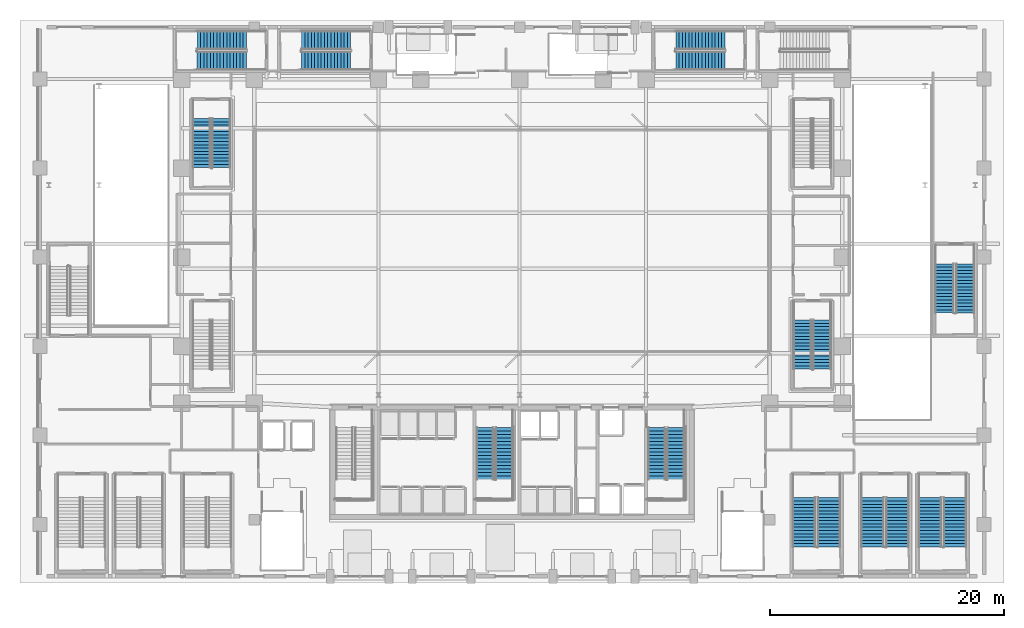
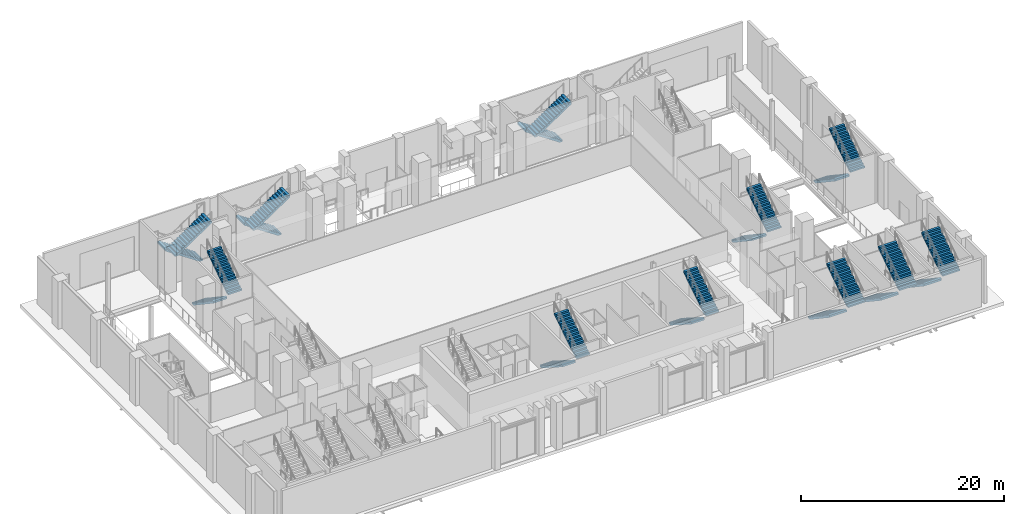
# One storey, part 24 of 36: 22 stair flights, 11 elements without a shape of their own.
"""IFC4 building model written with IfcOpenShell, lengths in metres."""

import ifcopenshell
import ifcopenshell.guid

model = None  # the IFC model being written
_history = None  # IfcOwnerHistory: only IFC2X3 demands one
_inside = {}  # id of a spatial element -> (the spatial element, [elements in it])
_under = {}  # id of a project, library or spatial element -> (it, [spatial elements below it])
_declared = {}  # id of a project -> (the project, [libraries it declares])
_typed = {}  # id of a type object -> (the type object, [elements of that type])
_made_of = {}  # id of a material, layer set ... -> (it, [elements and type objects made of it])


def new_model(schema):
    """Start an empty IFC model of exactly this schema.

    Asked for "IFC4X3", IfcOpenShell would pick the latest addendum, in which some entities
    have other attributes; the version numbers below select the first issue.
    IFC2X3 requires an IfcOwnerHistory on every rooted entity: one is made here for all.
    """
    global model, _history
    if schema == "IFC4X3":
        model = ifcopenshell.file(schema_version=(4, 3, 0, 0))
    else:
        model = ifcopenshell.file(schema=schema)
    _inside.clear()
    _under.clear()
    _declared.clear()
    _typed.clear()
    _made_of.clear()
    _history = None
    if model.schema == "IFC2X3":
        org = make("IfcOrganization", Name="unknown")
        user = make(
            "IfcPersonAndOrganization",
            ThePerson=make("IfcPerson", FamilyName="unknown"),
            TheOrganization=org,
        )
        app = make(
            "IfcApplication",
            ApplicationDeveloper=org,
            Version="unknown",
            ApplicationFullName="unknown",
            ApplicationIdentifier="unknown",
        )
        _history = make(
            "IfcOwnerHistory",
            OwningUser=user,
            OwningApplication=app,
            ChangeAction="ADDED",
            CreationDate=0,
        )
    return model


def make(cls, **values):
    """One entity of the class cls with the attributes given. An attribute that is None is left unset."""
    return model.create_entity(
        cls, **{name: value for name, value in values.items() if value is not None}
    )


def rooted(cls, **values):
    """An entity with a GlobalId (a new one), such as an element, a storey or a relation."""
    return make(cls, GlobalId=ifcopenshell.guid.new(), OwnerHistory=_history, **values)


def si_unit(unit_type, name, prefix=None):
    """IfcSIUnit, for example si_unit("LENGTHUNIT", "METRE", prefix="MILLI")."""
    return make("IfcSIUnit", UnitType=unit_type, Prefix=prefix, Name=name)


def assignment(units):
    """IfcUnitAssignment: the units of a project."""
    return None if units is None else make("IfcUnitAssignment", Units=units)


def point(xyz):
    """IfcCartesianPoint."""
    return None if xyz is None else make("IfcCartesianPoint", Coordinates=xyz)


def direction(xyz):
    """IfcDirection."""
    return None if xyz is None else make("IfcDirection", DirectionRatios=xyz)


def frame(location, z_axis=None, x_axis=None):
    """IfcAxis2Placement3D, a coordinate frame: its origin and axes. An axis left out is left unset."""
    return make(
        "IfcAxis2Placement3D",
        Location=point(location),
        Axis=direction(z_axis),
        RefDirection=direction(x_axis),
    )


def origin():
    """The frame at (0, 0, 0) with its axes left unset."""
    return frame((0.0, 0.0, 0.0))


def place(relative_to, where):
    """IfcLocalPlacement: puts the frame where relative to a parent placement (None: the world)."""
    return make(
        "IfcLocalPlacement", PlacementRelTo=relative_to, RelativePlacement=where
    )


def context(
    kind, dimensions, precision=None, world=None, true_north=None, identifier=None
):
    """IfcGeometricRepresentationContext, for example the 3D "Model" context."""
    return make(
        "IfcGeometricRepresentationContext",
        ContextIdentifier=identifier,
        ContextType=kind,
        CoordinateSpaceDimension=dimensions,
        Precision=precision,
        WorldCoordinateSystem=world,
        TrueNorth=true_north,
    )


def subcontext(parent, identifier, kind, view, scale=None):
    """IfcGeometricRepresentationSubContext, for example "Body" below "Model"."""
    return make(
        "IfcGeometricRepresentationSubContext",
        ContextIdentifier=identifier,
        ContextType=kind,
        ParentContext=parent,
        TargetScale=scale,
        TargetView=view,
    )


def project(units=None, contexts=None):
    """IfcProject with its units and contexts."""
    return rooted(
        "IfcProject",
        Name="project",
        RepresentationContexts=contexts,
        UnitsInContext=assignment(units),
    )


def spatial(cls, under=None, at=None, **own):
    """A site, building, storey or space (cls), placed at a placement, below another one or the project."""
    s = rooted(cls, ObjectPlacement=at, **own)
    if under is not None:
        _under.setdefault(under.id(), (under, []))[1].append(s)
    return s


def polyline(points):
    """IfcPolyline through the points."""
    return make("IfcPolyline", Points=[point(p) for p in points])


def outline(outer, holes=None, kind="AREA"):
    """IfcArbitraryClosedProfileDef: a profile drawn as a closed curve; with holes, ...WithVoids."""
    if holes is None:
        return make("IfcArbitraryClosedProfileDef", ProfileType=kind, OuterCurve=outer)
    return make(
        "IfcArbitraryProfileDefWithVoids",
        ProfileType=kind,
        OuterCurve=outer,
        InnerCurves=holes,
    )


def extrude(swept, where, along, depth):
    """IfcExtrudedAreaSolid: the profile swept, set in the frame where, extruded along a direction by depth."""
    return make(
        "IfcExtrudedAreaSolid",
        SweptArea=swept,
        Position=where,
        ExtrudedDirection=direction(along),
        Depth=depth,
    )


def shape(context_of_items, identifier, shape_type, items):
    """IfcShapeRepresentation: the items that make up one representation, for example the "Body"."""
    return make(
        "IfcShapeRepresentation",
        ContextOfItems=context_of_items,
        RepresentationIdentifier=identifier,
        RepresentationType=shape_type,
        Items=items,
    )


def material(Name=None, Category=None):
    """IfcMaterial."""
    return make("IfcMaterial", Name=Name, Category=Category)


def made_of(thing, what):
    """Note that an element or type object is made of a material, layer set ...; save() writes the relation."""
    if what is not None:
        _made_of.setdefault(what.id(), (what, []))[1].append(thing)
    return thing


def type_object(cls, material=None, **own):
    """A type object (cls), such as IfcWallType, which elements share."""
    return made_of(rooted(cls, **own), material)


def element(
    cls,
    number,
    at=None,
    inside=None,
    cuts=None,
    type_object=None,
    material=None,
    context=None,
    identifier="Body",
    shape_type=None,
    held_by="IfcProductDefinitionShape",
    body=None,
    shapes=None,
    **own,
):
    """One element of the class cls, such as IfcWall. Its Tag is "e" and its number.

    at: its placement. inside: the storey or other place that contains it. cuts: it is an
    opening in that element (IfcRelVoidsElement). A single representation is given by context,
    identifier, shape_type and body (its items); several are given by shapes. held_by: the class
    of the entity that holds the representations. save() writes the other relations.
    """
    e = rooted(cls, Tag="e%d" % number, ObjectPlacement=at, **own)
    if body is not None:
        shapes = [shape(context, identifier, shape_type, body)]
    if shapes is not None:
        e.Representation = make(held_by, Representations=shapes)
    if inside is not None:
        _inside.setdefault(inside.id(), (inside, []))[1].append(e)
    if cuts is not None:
        rooted(
            "IfcRelVoidsElement", RelatingBuildingElement=cuts, RelatedOpeningElement=e
        )
    if type_object is not None:
        _typed.setdefault(type_object.id(), (type_object, []))[1].append(e)
    return made_of(e, material)


def aggregate(whole, parts):
    """IfcRelAggregates: a whole, such as a stair, and the parts it consists of."""
    return rooted("IfcRelAggregates", RelatingObject=whole, RelatedObjects=parts)


def save(model, path):
    """Write the relations noted so far, then the file.

    IfcRelAggregates (storeys below a building ...), IfcRelContainedInSpatialStructure (elements
    in a storey), IfcRelDefinesByType, IfcRelAssociatesMaterial and IfcRelDeclares: one each for
    every whole, place, type object, material and project.
    """
    for whole, parts in _under.values():
        aggregate(whole, parts)
    for where, things in _inside.values():
        rooted(
            "IfcRelContainedInSpatialStructure",
            RelatedElements=things,
            RelatingStructure=where,
        )
    for kind, things in _typed.values():
        rooted("IfcRelDefinesByType", RelatedObjects=things, RelatingType=kind)
    for what, things in _made_of.values():
        rooted("IfcRelAssociatesMaterial", RelatedObjects=things, RelatingMaterial=what)
    for by, libraries in _declared.values():
        rooted("IfcRelDeclares", RelatingContext=by, RelatedDefinitions=libraries)
    model.write(path)


model = new_model("IFC4")

# Units and contexts
model_context = context("Model", 3, precision=1e-05, world=origin(), true_north=direction((0.0, 1.0)))
body_context = subcontext(model_context, "Body", "Model", "MODEL_VIEW")
ifc_project = project(units=[si_unit("LENGTHUNIT", "METRE"), si_unit("AREAUNIT", "SQUARE_METRE"), si_unit("VOLUMEUNIT", "CUBIC_METRE"), si_unit("PLANEANGLEUNIT", "RADIAN"), si_unit("MASSUNIT", "GRAM", prefix="KILO")], contexts=[model_context])

# Site, building, storey
site_placement = place(None, origin())
site = spatial("IfcSite", under=ifc_project, at=site_placement, CompositionType="ELEMENT")
building_placement = place(site_placement, origin())
building = spatial("IfcBuilding", under=site, at=building_placement, Name="Ndaravel Arena Tower", CompositionType="ELEMENT")
storey_placement = place(building_placement, origin())
storey = spatial("IfcBuildingStorey", under=building, at=storey_placement, Name="L00", CompositionType="ELEMENT", Elevation=0.0)

# Stair, stair flights
ifc_material_1 = material(Name="Concrete C40/50", Category="concrete")
stair_type_1 = type_object("IfcStairType", Name="STAIR-ARENA-HT", PredefinedType="HALF_TURN_STAIR", material=ifc_material_1)
stair_1_placement = place(storey_placement, origin())
stair_1 = element("IfcStair", 1, at=stair_1_placement, inside=storey, type_object=stair_type_1, Name="L00 ST-A04", PredefinedType="HALF_TURN_STAIR")
ifc_material_2 = material(Name="Concrete C40/50", Category="concrete")
stair_flight_type_1 = type_object("IfcStairFlightType", Name="SFLIGHT-ARENA-1980", PredefinedType="STRAIGHT", material=ifc_material_2)
stair_flight_1_placement = place(storey_placement, frame((66.93994140625, 7.27001953125, 0.0), z_axis=(0.0, 0.0, 1.0), x_axis=(0.0, -1.0, 0.0)))
stair_flight_1 = element("IfcStairFlight", 2, at=stair_flight_1_placement, type_object=stair_flight_type_1, Name="ST-A04 flight 1", NumberOfRisers=16, NumberOfTreads=15, PredefinedType="STRAIGHT", RiserHeight=0.1875, TreadLength=0.28, context=body_context, shape_type="SweptSolid", body=[
    extrude(outline(polyline([(0.0, 0.0), (0.0, 0.1875), (0.280029296875, 0.1875), (0.280029296875, 0.375), (0.56005859375, 0.375), (0.56005859375, 0.5625), (0.840087890625, 0.5625), (0.840087890625, 0.75), (1.1201171875, 0.75), (1.1201171875, 0.9375), (1.39990234375, 0.9375), (1.39990234375, 1.125), (1.679931640625, 1.125), (1.679931640625, 1.3125), (1.9599609375, 1.3125), (1.9599609375, 1.5), (2.239990234375, 1.5), (2.239990234375, 1.6875), (2.52001953125, 1.6875), (2.52001953125, 1.875), (2.800048828125, 1.875), (2.800048828125, 2.0625), (3.080078125, 2.0625), (3.080078125, 2.25), (3.360107421875, 2.25), (3.360107421875, 2.4375), (3.639892578125, 2.4375), (3.639892578125, 2.625), (3.919921875, 2.625), (3.919921875, 2.8125), (4.199951171875, 2.8125), (4.199951171875, 3.0), (4.199951171875, 2.57177734375), (0.359375, 0.0), (0.0, 0.0)])), frame((0.0, 0.989990234375, 0.0), z_axis=(0.0, -1.0, 0.0), x_axis=(1.0, 0.0, 0.0)), (0.0, 0.0, 1.0), 1.97998046875),
])
stair_flight_2_placement = place(storey_placement, frame((69.06005859375, 3.070068359375, 3.0), z_axis=(0.0, 0.0, 1.0), x_axis=(0.0, 1.0, 0.0)))
stair_flight_2 = element("IfcStairFlight", 3, at=stair_flight_2_placement, type_object=stair_flight_type_1, Name="ST-A04 flight 2", NumberOfRisers=16, NumberOfTreads=15, PredefinedType="STRAIGHT", RiserHeight=0.1875, TreadLength=0.28, context=body_context, shape_type="SweptSolid", body=[
    extrude(outline(polyline([(0.0, 0.0), (0.0, 0.1875), (0.280029296875, 0.1875), (0.280029296875, 0.375), (0.56005859375, 0.375), (0.56005859375, 0.5625), (0.840087890625, 0.5625), (0.840087890625, 0.75), (1.1201171875, 0.75), (1.1201171875, 0.9375), (1.39990234375, 0.9375), (1.39990234375, 1.125), (1.679931640625, 1.125), (1.679931640625, 1.3125), (1.9599609375, 1.3125), (1.9599609375, 1.5), (2.239990234375, 1.5), (2.239990234375, 1.6875), (2.52001953125, 1.6875), (2.52001953125, 1.875), (2.800048828125, 1.875), (2.800048828125, 2.0625), (3.080078125, 2.0625), (3.080078125, 2.25), (3.360107421875, 2.25), (3.360107421875, 2.4375), (3.639892578125, 2.4375), (3.639892578125, 2.625), (3.919921875, 2.625), (3.919921875, 2.8125), (4.199951171875, 2.8125), (4.199951171875, 3.0), (4.199951171875, 2.57177734375), (0.359375, 0.0), (0.0, 0.0)])), frame((0.0, 0.989990234375, 0.0), z_axis=(0.0, -1.0, 0.0), x_axis=(1.0, 0.0, 0.0)), (0.0, 0.0, 1.0), 1.97998046875),
])
aggregate(stair_1, [stair_flight_1, stair_flight_2])

stair_2_placement = place(storey_placement, origin())
stair_2 = element("IfcStair", 4, at=stair_2_placement, inside=storey, type_object=stair_type_1, Name="L00 ST-A05", PredefinedType="HALF_TURN_STAIR")
stair_flight_3_placement = place(storey_placement, frame((72.7900390625, 7.27001953125, 0.0), z_axis=(0.0, 0.0, 1.0), x_axis=(0.0, -1.0, 0.0)))
stair_flight_3 = element("IfcStairFlight", 5, at=stair_flight_3_placement, type_object=stair_flight_type_1, Name="ST-A05 flight 1", NumberOfRisers=16, NumberOfTreads=15, PredefinedType="STRAIGHT", RiserHeight=0.1875, TreadLength=0.28, context=body_context, shape_type="SweptSolid", body=[
    extrude(outline(polyline([(0.0, 0.0), (0.0, 0.1875), (0.280029296875, 0.1875), (0.280029296875, 0.375), (0.56005859375, 0.375), (0.56005859375, 0.5625), (0.840087890625, 0.5625), (0.840087890625, 0.75), (1.1201171875, 0.75), (1.1201171875, 0.9375), (1.39990234375, 0.9375), (1.39990234375, 1.125), (1.679931640625, 1.125), (1.679931640625, 1.3125), (1.9599609375, 1.3125), (1.9599609375, 1.5), (2.239990234375, 1.5), (2.239990234375, 1.6875), (2.52001953125, 1.6875), (2.52001953125, 1.875), (2.800048828125, 1.875), (2.800048828125, 2.0625), (3.080078125, 2.0625), (3.080078125, 2.25), (3.360107421875, 2.25), (3.360107421875, 2.4375), (3.639892578125, 2.4375), (3.639892578125, 2.625), (3.919921875, 2.625), (3.919921875, 2.8125), (4.199951171875, 2.8125), (4.199951171875, 3.0), (4.199951171875, 2.57177734375), (0.359375, 0.0), (0.0, 0.0)])), frame((0.0, 0.989990234375, 0.0), z_axis=(0.0, -1.0, 0.0), x_axis=(1.0, 0.0, 0.0)), (0.0, 0.0, 1.0), 1.97998046875),
])
stair_flight_4_placement = place(storey_placement, frame((74.909912109375, 3.070068359375, 3.0), z_axis=(0.0, 0.0, 1.0), x_axis=(0.0, 1.0, 0.0)))
stair_flight_4 = element("IfcStairFlight", 6, at=stair_flight_4_placement, type_object=stair_flight_type_1, Name="ST-A05 flight 2", NumberOfRisers=16, NumberOfTreads=15, PredefinedType="STRAIGHT", RiserHeight=0.1875, TreadLength=0.28, context=body_context, shape_type="SweptSolid", body=[
    extrude(outline(polyline([(0.0, 0.0), (0.0, 0.1875), (0.280029296875, 0.1875), (0.280029296875, 0.375), (0.56005859375, 0.375), (0.56005859375, 0.5625), (0.840087890625, 0.5625), (0.840087890625, 0.75), (1.1201171875, 0.75), (1.1201171875, 0.9375), (1.39990234375, 0.9375), (1.39990234375, 1.125), (1.679931640625, 1.125), (1.679931640625, 1.3125), (1.9599609375, 1.3125), (1.9599609375, 1.5), (2.239990234375, 1.5), (2.239990234375, 1.6875), (2.52001953125, 1.6875), (2.52001953125, 1.875), (2.800048828125, 1.875), (2.800048828125, 2.0625), (3.080078125, 2.0625), (3.080078125, 2.25), (3.360107421875, 2.25), (3.360107421875, 2.4375), (3.639892578125, 2.4375), (3.639892578125, 2.625), (3.919921875, 2.625), (3.919921875, 2.8125), (4.199951171875, 2.8125), (4.199951171875, 3.0), (4.199951171875, 2.57177734375), (0.359375, 0.0), (0.0, 0.0)])), frame((0.0, 0.989990234375, 0.0), z_axis=(0.0, -1.0, 0.0), x_axis=(1.0, 0.0, 0.0)), (0.0, 0.0, 1.0), 1.97998046875),
])
aggregate(stair_2, [stair_flight_3, stair_flight_4])

stair_3_placement = place(storey_placement, origin())
stair_3 = element("IfcStair", 7, at=stair_3_placement, inside=storey, type_object=stair_type_1, Name="L00 ST-A06", PredefinedType="HALF_TURN_STAIR")
stair_flight_5_placement = place(storey_placement, frame((77.68994140625, 7.27001953125, 0.0), z_axis=(0.0, 0.0, 1.0), x_axis=(0.0, -1.0, 0.0)))
stair_flight_5 = element("IfcStairFlight", 8, at=stair_flight_5_placement, type_object=stair_flight_type_1, Name="ST-A06 flight 1", NumberOfRisers=16, NumberOfTreads=15, PredefinedType="STRAIGHT", RiserHeight=0.1875, TreadLength=0.28, context=body_context, shape_type="SweptSolid", body=[
    extrude(outline(polyline([(0.0, 0.0), (0.0, 0.1875), (0.280029296875, 0.1875), (0.280029296875, 0.375), (0.56005859375, 0.375), (0.56005859375, 0.5625), (0.840087890625, 0.5625), (0.840087890625, 0.75), (1.1201171875, 0.75), (1.1201171875, 0.9375), (1.39990234375, 0.9375), (1.39990234375, 1.125), (1.679931640625, 1.125), (1.679931640625, 1.3125), (1.9599609375, 1.3125), (1.9599609375, 1.5), (2.239990234375, 1.5), (2.239990234375, 1.6875), (2.52001953125, 1.6875), (2.52001953125, 1.875), (2.800048828125, 1.875), (2.800048828125, 2.0625), (3.080078125, 2.0625), (3.080078125, 2.25), (3.360107421875, 2.25), (3.360107421875, 2.4375), (3.639892578125, 2.4375), (3.639892578125, 2.625), (3.919921875, 2.625), (3.919921875, 2.8125), (4.199951171875, 2.8125), (4.199951171875, 3.0), (4.199951171875, 2.57177734375), (0.359375, 0.0), (0.0, 0.0)])), frame((0.0, 0.989990234375, 0.0), z_axis=(0.0, -1.0, 0.0), x_axis=(1.0, 0.0, 0.0)), (0.0, 0.0, 1.0), 1.97998046875),
])
stair_flight_6_placement = place(storey_placement, frame((79.81005859375, 3.070068359375, 3.0), z_axis=(0.0, 0.0, 1.0), x_axis=(0.0, 1.0, 0.0)))
stair_flight_6 = element("IfcStairFlight", 9, at=stair_flight_6_placement, type_object=stair_flight_type_1, Name="ST-A06 flight 2", NumberOfRisers=16, NumberOfTreads=15, PredefinedType="STRAIGHT", RiserHeight=0.1875, TreadLength=0.28, context=body_context, shape_type="SweptSolid", body=[
    extrude(outline(polyline([(0.0, 0.0), (0.0, 0.1875), (0.280029296875, 0.1875), (0.280029296875, 0.375), (0.56005859375, 0.375), (0.56005859375, 0.5625), (0.840087890625, 0.5625), (0.840087890625, 0.75), (1.1201171875, 0.75), (1.1201171875, 0.9375), (1.39990234375, 0.9375), (1.39990234375, 1.125), (1.679931640625, 1.125), (1.679931640625, 1.3125), (1.9599609375, 1.3125), (1.9599609375, 1.5), (2.239990234375, 1.5), (2.239990234375, 1.6875), (2.52001953125, 1.6875), (2.52001953125, 1.875), (2.800048828125, 1.875), (2.800048828125, 2.0625), (3.080078125, 2.0625), (3.080078125, 2.25), (3.360107421875, 2.25), (3.360107421875, 2.4375), (3.639892578125, 2.4375), (3.639892578125, 2.625), (3.919921875, 2.625), (3.919921875, 2.8125), (4.199951171875, 2.8125), (4.199951171875, 3.0), (4.199951171875, 2.57177734375), (0.359375, 0.0), (0.0, 0.0)])), frame((0.0, 0.989990234375, 0.0), z_axis=(0.0, -1.0, 0.0), x_axis=(1.0, 0.0, 0.0)), (0.0, 0.0, 1.0), 1.97998046875),
])
aggregate(stair_3, [stair_flight_5, stair_flight_6])

ifc_material_3 = material(Name="Concrete C40/50", Category="concrete")
stair_type_2 = type_object("IfcStairType", Name="STAIR-POD-QT", PredefinedType="QUARTER_TURN_STAIR", material=ifc_material_3)
stair_4_placement = place(storey_placement, origin())
stair_4 = element("IfcStair", 10, at=stair_4_placement, inside=storey, type_object=stair_type_2, Name="L00 ST-A08", PredefinedType="QUARTER_TURN_STAIR")
stair_flight_7_placement = place(storey_placement, frame((19.330078125, 46.330078125, 0.0), z_axis=(0.0, 0.0, 1.0), x_axis=(-1.0, 0.0, 0.0)))
stair_flight_7 = element("IfcStairFlight", 11, at=stair_flight_7_placement, type_object=stair_flight_type_1, Name="ST-A08 flight 1", NumberOfRisers=16, NumberOfTreads=15, PredefinedType="STRAIGHT", RiserHeight=0.1875, TreadLength=0.28, context=body_context, shape_type="SweptSolid", body=[
    extrude(outline(polyline([(0.0, 0.0), (0.0, 0.1875), (0.280029296875, 0.1875), (0.280029296875, 0.375), (0.56005859375, 0.375), (0.56005859375, 0.5625), (0.840087890625, 0.5625), (0.840087890625, 0.75), (1.1201171875, 0.75), (1.1201171875, 0.9375), (1.39990234375, 0.9375), (1.39990234375, 1.125), (1.679931640625, 1.125), (1.679931640625, 1.3125), (1.9599609375, 1.3125), (1.9599609375, 1.5), (2.239990234375, 1.5), (2.239990234375, 1.6875), (2.52001953125, 1.6875), (2.52001953125, 1.875), (2.800048828125, 1.875), (2.800048828125, 2.0625), (3.080078125, 2.0625), (3.080078125, 2.25), (3.360107421875, 2.25), (3.360107421875, 2.4375), (3.639892578125, 2.4375), (3.639892578125, 2.625), (3.919921875, 2.625), (3.919921875, 2.8125), (4.199951171875, 2.8125), (4.199951171875, 3.0), (4.199951171875, 2.57177734375), (0.359375, 0.0), (0.0, 0.0)])), frame((0.0, 0.81005859375, 0.0), z_axis=(0.0, -1.0, 0.0), x_axis=(1.0, 0.0, 0.0)), (0.0, 0.0, 1.0), 1.6201171875),
])
stair_flight_8_placement = place(storey_placement, frame((15.1298828125, 44.570068359375, 3.0), z_axis=(0.0, 0.0, 1.0), x_axis=(1.0, 0.0, 0.0)))
stair_flight_8 = element("IfcStairFlight", 12, at=stair_flight_8_placement, type_object=stair_flight_type_1, Name="ST-A08 flight 2", NumberOfRisers=16, NumberOfTreads=15, PredefinedType="STRAIGHT", RiserHeight=0.1875, TreadLength=0.28, context=body_context, shape_type="SweptSolid", body=[
    extrude(outline(polyline([(0.0, 0.0), (0.0, 0.1875), (0.280029296875, 0.1875), (0.280029296875, 0.375), (0.56005859375, 0.375), (0.56005859375, 0.5625), (0.840087890625, 0.5625), (0.840087890625, 0.75), (1.1201171875, 0.75), (1.1201171875, 0.9375), (1.39990234375, 0.9375), (1.39990234375, 1.125), (1.679931640625, 1.125), (1.679931640625, 1.3125), (1.9599609375, 1.3125), (1.9599609375, 1.5), (2.239990234375, 1.5), (2.239990234375, 1.6875), (2.52001953125, 1.6875), (2.52001953125, 1.875), (2.800048828125, 1.875), (2.800048828125, 2.0625), (3.080078125, 2.0625), (3.080078125, 2.25), (3.360107421875, 2.25), (3.360107421875, 2.4375), (3.639892578125, 2.4375), (3.639892578125, 2.625), (3.919921875, 2.625), (3.919921875, 2.8125), (4.199951171875, 2.8125), (4.199951171875, 3.0), (4.199951171875, 2.57177734375), (0.359375, 0.0), (0.0, 0.0)])), frame((0.0, 0.81005859375, 0.0), z_axis=(0.0, -1.0, 0.0), x_axis=(1.0, 0.0, 0.0)), (0.0, 0.0, 1.0), 1.6201171875),
])
aggregate(stair_4, [stair_flight_7, stair_flight_8])

stair_5_placement = place(storey_placement, origin())
stair_5 = element("IfcStair", 13, at=stair_5_placement, inside=storey, type_object=stair_type_2, Name="L00 ST-A09", PredefinedType="QUARTER_TURN_STAIR")
stair_flight_9_placement = place(storey_placement, frame((28.22998046875, 46.330078125, 0.0), z_axis=(0.0, 0.0, 1.0), x_axis=(-1.0, 0.0, 0.0)))
stair_flight_9 = element("IfcStairFlight", 14, at=stair_flight_9_placement, type_object=stair_flight_type_1, Name="ST-A09 flight 1", NumberOfRisers=16, NumberOfTreads=15, PredefinedType="STRAIGHT", RiserHeight=0.1875, TreadLength=0.28, context=body_context, shape_type="SweptSolid", body=[
    extrude(outline(polyline([(0.0, 0.0), (0.0, 0.1875), (0.280029296875, 0.1875), (0.280029296875, 0.375), (0.56005859375, 0.375), (0.56005859375, 0.5625), (0.840087890625, 0.5625), (0.840087890625, 0.75), (1.1201171875, 0.75), (1.1201171875, 0.9375), (1.39990234375, 0.9375), (1.39990234375, 1.125), (1.679931640625, 1.125), (1.679931640625, 1.3125), (1.9599609375, 1.3125), (1.9599609375, 1.5), (2.239990234375, 1.5), (2.239990234375, 1.6875), (2.52001953125, 1.6875), (2.52001953125, 1.875), (2.800048828125, 1.875), (2.800048828125, 2.0625), (3.080078125, 2.0625), (3.080078125, 2.25), (3.360107421875, 2.25), (3.360107421875, 2.4375), (3.639892578125, 2.4375), (3.639892578125, 2.625), (3.919921875, 2.625), (3.919921875, 2.8125), (4.199951171875, 2.8125), (4.199951171875, 3.0), (4.199951171875, 2.57177734375), (0.359375, 0.0), (0.0, 0.0)])), frame((0.0, 0.81005859375, 0.0), z_axis=(0.0, -1.0, 0.0), x_axis=(1.0, 0.0, 0.0)), (0.0, 0.0, 1.0), 1.6201171875),
])
stair_flight_10_placement = place(storey_placement, frame((24.030029296875, 44.570068359375, 3.0), z_axis=(0.0, 0.0, 1.0), x_axis=(1.0, 0.0, 0.0)))
stair_flight_10 = element("IfcStairFlight", 15, at=stair_flight_10_placement, type_object=stair_flight_type_1, Name="ST-A09 flight 2", NumberOfRisers=16, NumberOfTreads=15, PredefinedType="STRAIGHT", RiserHeight=0.1875, TreadLength=0.28, context=body_context, shape_type="SweptSolid", body=[
    extrude(outline(polyline([(0.0, 0.0), (0.0, 0.1875), (0.280029296875, 0.1875), (0.280029296875, 0.375), (0.56005859375, 0.375), (0.56005859375, 0.5625), (0.840087890625, 0.5625), (0.840087890625, 0.75), (1.1201171875, 0.75), (1.1201171875, 0.9375), (1.39990234375, 0.9375), (1.39990234375, 1.125), (1.679931640625, 1.125), (1.679931640625, 1.3125), (1.9599609375, 1.3125), (1.9599609375, 1.5), (2.239990234375, 1.5), (2.239990234375, 1.6875), (2.52001953125, 1.6875), (2.52001953125, 1.875), (2.800048828125, 1.875), (2.800048828125, 2.0625), (3.080078125, 2.0625), (3.080078125, 2.25), (3.360107421875, 2.25), (3.360107421875, 2.4375), (3.639892578125, 2.4375), (3.639892578125, 2.625), (3.919921875, 2.625), (3.919921875, 2.8125), (4.199951171875, 2.8125), (4.199951171875, 3.0), (4.199951171875, 2.57177734375), (0.359375, 0.0), (0.0, 0.0)])), frame((0.0, 0.81005859375, 0.0), z_axis=(0.0, -1.0, 0.0), x_axis=(1.0, 0.0, 0.0)), (0.0, 0.0, 1.0), 1.6201171875),
])
aggregate(stair_5, [stair_flight_9, stair_flight_10])

stair_6_placement = place(storey_placement, origin())
stair_6 = element("IfcStair", 16, at=stair_6_placement, inside=storey, type_object=stair_type_2, Name="L00 ST-A10", PredefinedType="QUARTER_TURN_STAIR")
stair_flight_11_placement = place(storey_placement, frame((60.179931640625, 46.330078125, 0.0), z_axis=(0.0, 0.0, 1.0), x_axis=(-1.0, 0.0, 0.0)))
stair_flight_11 = element("IfcStairFlight", 17, at=stair_flight_11_placement, type_object=stair_flight_type_1, Name="ST-A10 flight 1", NumberOfRisers=16, NumberOfTreads=15, PredefinedType="STRAIGHT", RiserHeight=0.1875, TreadLength=0.28, context=body_context, shape_type="SweptSolid", body=[
    extrude(outline(polyline([(0.0, 0.0), (0.0, 0.1875), (0.280029296875, 0.1875), (0.280029296875, 0.375), (0.56005859375, 0.375), (0.56005859375, 0.5625), (0.840087890625, 0.5625), (0.840087890625, 0.75), (1.1201171875, 0.75), (1.1201171875, 0.9375), (1.39990234375, 0.9375), (1.39990234375, 1.125), (1.679931640625, 1.125), (1.679931640625, 1.3125), (1.9599609375, 1.3125), (1.9599609375, 1.5), (2.239990234375, 1.5), (2.239990234375, 1.6875), (2.52001953125, 1.6875), (2.52001953125, 1.875), (2.800048828125, 1.875), (2.800048828125, 2.0625), (3.080078125, 2.0625), (3.080078125, 2.25), (3.360107421875, 2.25), (3.360107421875, 2.4375), (3.639892578125, 2.4375), (3.639892578125, 2.625), (3.919921875, 2.625), (3.919921875, 2.8125), (4.199951171875, 2.8125), (4.199951171875, 3.0), (4.199951171875, 2.57177734375), (0.359375, 0.0), (0.0, 0.0)])), frame((0.0, 0.81005859375, 0.0), z_axis=(0.0, -1.0, 0.0), x_axis=(1.0, 0.0, 0.0)), (0.0, 0.0, 1.0), 1.6201171875),
])
stair_flight_12_placement = place(storey_placement, frame((55.97998046875, 44.570068359375, 3.0), z_axis=(0.0, 0.0, 1.0), x_axis=(1.0, 0.0, 0.0)))
stair_flight_12 = element("IfcStairFlight", 18, at=stair_flight_12_placement, type_object=stair_flight_type_1, Name="ST-A10 flight 2", NumberOfRisers=16, NumberOfTreads=15, PredefinedType="STRAIGHT", RiserHeight=0.1875, TreadLength=0.28, context=body_context, shape_type="SweptSolid", body=[
    extrude(outline(polyline([(0.0, 0.0), (0.0, 0.1875), (0.280029296875, 0.1875), (0.280029296875, 0.375), (0.56005859375, 0.375), (0.56005859375, 0.5625), (0.840087890625, 0.5625), (0.840087890625, 0.75), (1.1201171875, 0.75), (1.1201171875, 0.9375), (1.39990234375, 0.9375), (1.39990234375, 1.125), (1.679931640625, 1.125), (1.679931640625, 1.3125), (1.9599609375, 1.3125), (1.9599609375, 1.5), (2.239990234375, 1.5), (2.239990234375, 1.6875), (2.52001953125, 1.6875), (2.52001953125, 1.875), (2.800048828125, 1.875), (2.800048828125, 2.0625), (3.080078125, 2.0625), (3.080078125, 2.25), (3.360107421875, 2.25), (3.360107421875, 2.4375), (3.639892578125, 2.4375), (3.639892578125, 2.625), (3.919921875, 2.625), (3.919921875, 2.8125), (4.199951171875, 2.8125), (4.199951171875, 3.0), (4.199951171875, 2.57177734375), (0.359375, 0.0), (0.0, 0.0)])), frame((0.0, 0.81005859375, 0.0), z_axis=(0.0, -1.0, 0.0), x_axis=(1.0, 0.0, 0.0)), (0.0, 0.0, 1.0), 1.6201171875),
])
aggregate(stair_6, [stair_flight_11, stair_flight_12])

stair_7_placement = place(storey_placement, origin())
stair_7 = element("IfcStair", 19, at=stair_7_placement, inside=storey, type_object=stair_type_2, Name="L00 ST-A12", PredefinedType="QUARTER_TURN_STAIR")
stair_flight_13_placement = place(storey_placement, frame((78.929931640625, 27.22998046875, 0.0), z_axis=(0.0, 0.0, 1.0), x_axis=(0.0, -1.0, 0.0)))
stair_flight_13 = element("IfcStairFlight", 20, at=stair_flight_13_placement, type_object=stair_flight_type_1, Name="ST-A12 flight 1", NumberOfRisers=16, NumberOfTreads=15, PredefinedType="STRAIGHT", RiserHeight=0.1875, TreadLength=0.28, context=body_context, shape_type="SweptSolid", body=[
    extrude(outline(polyline([(0.0, 0.0), (0.0, 0.1875), (0.280029296875, 0.1875), (0.280029296875, 0.375), (0.56005859375, 0.375), (0.56005859375, 0.5625), (0.840087890625, 0.5625), (0.840087890625, 0.75), (1.1201171875, 0.75), (1.1201171875, 0.9375), (1.39990234375, 0.9375), (1.39990234375, 1.125), (1.679931640625, 1.125), (1.679931640625, 1.3125), (1.9599609375, 1.3125), (1.9599609375, 1.5), (2.239990234375, 1.5), (2.239990234375, 1.6875), (2.52001953125, 1.6875), (2.52001953125, 1.875), (2.800048828125, 1.875), (2.800048828125, 2.0625), (3.080078125, 2.0625), (3.080078125, 2.25), (3.360107421875, 2.25), (3.360107421875, 2.4375), (3.639892578125, 2.4375), (3.639892578125, 2.625), (3.919921875, 2.625), (3.919921875, 2.8125), (4.199951171875, 2.8125), (4.199951171875, 3.0), (4.199951171875, 2.57177734375), (0.359375, 0.0), (0.0, 0.0)])), frame((0.0, 0.81005859375, 0.0), z_axis=(0.0, -1.0, 0.0), x_axis=(1.0, 0.0, 0.0)), (0.0, 0.0, 1.0), 1.6201171875),
])
stair_flight_14_placement = place(storey_placement, frame((80.68994140625, 23.030029296875, 3.0), z_axis=(0.0, 0.0, 1.0), x_axis=(0.0, 1.0, 0.0)))
stair_flight_14 = element("IfcStairFlight", 21, at=stair_flight_14_placement, type_object=stair_flight_type_1, Name="ST-A12 flight 2", NumberOfRisers=16, NumberOfTreads=15, PredefinedType="STRAIGHT", RiserHeight=0.1875, TreadLength=0.28, context=body_context, shape_type="SweptSolid", body=[
    extrude(outline(polyline([(0.0, 0.0), (0.0, 0.1875), (0.280029296875, 0.1875), (0.280029296875, 0.375), (0.56005859375, 0.375), (0.56005859375, 0.5625), (0.840087890625, 0.5625), (0.840087890625, 0.75), (1.1201171875, 0.75), (1.1201171875, 0.9375), (1.39990234375, 0.9375), (1.39990234375, 1.125), (1.679931640625, 1.125), (1.679931640625, 1.3125), (1.9599609375, 1.3125), (1.9599609375, 1.5), (2.239990234375, 1.5), (2.239990234375, 1.6875), (2.52001953125, 1.6875), (2.52001953125, 1.875), (2.800048828125, 1.875), (2.800048828125, 2.0625), (3.080078125, 2.0625), (3.080078125, 2.25), (3.360107421875, 2.25), (3.360107421875, 2.4375), (3.639892578125, 2.4375), (3.639892578125, 2.625), (3.919921875, 2.625), (3.919921875, 2.8125), (4.199951171875, 2.8125), (4.199951171875, 3.0), (4.199951171875, 2.57177734375), (0.359375, 0.0), (0.0, 0.0)])), frame((0.0, 0.81005859375, 0.0), z_axis=(0.0, -1.0, 0.0), x_axis=(1.0, 0.0, 0.0)), (0.0, 0.0, 1.0), 1.6201171875),
])
aggregate(stair_7, [stair_flight_13, stair_flight_14])

ifc_material_4 = material(Name="Concrete C40/50", Category="concrete")
stair_type_3 = type_object("IfcStairType", Name="STAIR-CORE-HT", PredefinedType="HALF_TURN_STAIR", material=ifc_material_4)
stair_8_placement = place(storey_placement, origin())
stair_8 = element("IfcStair", 22, at=stair_8_placement, inside=storey, type_object=stair_type_3, Name="L00 ST-2", PredefinedType="HALF_TURN_STAIR")
ifc_material_5 = material(Name="Concrete C40/50", Category="concrete")
stair_flight_type_2 = type_object("IfcStairFlightType", Name="SFLIGHT-CORE-1680", PredefinedType="STRAIGHT", material=ifc_material_5)
stair_flight_15_placement = place(storey_placement, frame((39.699951171875, 13.25, 0.0), z_axis=(0.0, 0.0, 1.0), x_axis=(0.0, -1.0, 0.0)))
stair_flight_15 = element("IfcStairFlight", 23, at=stair_flight_15_placement, type_object=stair_flight_type_2, Name="ST-2 flight 1", NumberOfRisers=16, NumberOfTreads=15, PredefinedType="STRAIGHT", RiserHeight=0.1875, TreadLength=0.295, context=body_context, shape_type="SweptSolid", body=[
    extrude(outline(polyline([(0.0, 0.0), (0.0, 0.1875), (0.294921875, 0.1875), (0.294921875, 0.375), (0.590087890625, 0.375), (0.590087890625, 0.5625), (0.885009765625, 0.5625), (0.885009765625, 0.75), (1.179931640625, 0.75), (1.179931640625, 0.9375), (1.47509765625, 0.9375), (1.47509765625, 1.125), (1.77001953125, 1.125), (1.77001953125, 1.3125), (2.06494140625, 1.3125), (2.06494140625, 1.5), (2.360107421875, 1.5), (2.360107421875, 1.6875), (2.655029296875, 1.6875), (2.655029296875, 1.875), (2.949951171875, 1.875), (2.949951171875, 2.0625), (3.2451171875, 2.0625), (3.2451171875, 2.25), (3.5400390625, 2.25), (3.5400390625, 2.4375), (3.8349609375, 2.4375), (3.8349609375, 2.625), (4.1298828125, 2.625), (4.1298828125, 2.8125), (4.425048828125, 2.8125), (4.425048828125, 3.0), (4.425048828125, 2.599365234375), (0.33544921875, 0.0), (0.0, 0.0)])), frame((0.0, 0.75, 0.0), z_axis=(0.0, -1.0, 0.0), x_axis=(1.0, 0.0, 0.0)), (0.0, 0.0, 1.0), 1.5),
])
stair_flight_16_placement = place(storey_placement, frame((41.340087890625, 8.824951171875, 3.0), z_axis=(0.0, 0.0, 1.0), x_axis=(0.0, 1.0, 0.0)))
stair_flight_16 = element("IfcStairFlight", 24, at=stair_flight_16_placement, type_object=stair_flight_type_2, Name="ST-2 flight 2", NumberOfRisers=16, NumberOfTreads=15, PredefinedType="STRAIGHT", RiserHeight=0.1875, TreadLength=0.295, context=body_context, shape_type="SweptSolid", body=[
    extrude(outline(polyline([(0.0, 0.0), (0.0, 0.1875), (0.294921875, 0.1875), (0.294921875, 0.375), (0.590087890625, 0.375), (0.590087890625, 0.5625), (0.885009765625, 0.5625), (0.885009765625, 0.75), (1.179931640625, 0.75), (1.179931640625, 0.9375), (1.47509765625, 0.9375), (1.47509765625, 1.125), (1.77001953125, 1.125), (1.77001953125, 1.3125), (2.06494140625, 1.3125), (2.06494140625, 1.5), (2.360107421875, 1.5), (2.360107421875, 1.6875), (2.655029296875, 1.6875), (2.655029296875, 1.875), (2.949951171875, 1.875), (2.949951171875, 2.0625), (3.2451171875, 2.0625), (3.2451171875, 2.25), (3.5400390625, 2.25), (3.5400390625, 2.4375), (3.8349609375, 2.4375), (3.8349609375, 2.625), (4.1298828125, 2.625), (4.1298828125, 2.8125), (4.425048828125, 2.8125), (4.425048828125, 3.0), (4.425048828125, 2.599365234375), (0.33544921875, 0.0), (0.0, 0.0)])), frame((0.0, 0.75, 0.0), z_axis=(0.0, -1.0, 0.0), x_axis=(1.0, 0.0, 0.0)), (0.0, 0.0, 1.0), 1.5),
])
aggregate(stair_8, [stair_flight_15, stair_flight_16])

stair_9_placement = place(storey_placement, origin())
stair_9 = element("IfcStair", 25, at=stair_9_placement, inside=storey, type_object=stair_type_3, Name="L00 ST-3", PredefinedType="HALF_TURN_STAIR")
stair_flight_17_placement = place(storey_placement, frame((54.35009765625, 13.25, 0.0), z_axis=(0.0, 0.0, 1.0), x_axis=(0.0, -1.0, 0.0)))
stair_flight_17 = element("IfcStairFlight", 26, at=stair_flight_17_placement, type_object=stair_flight_type_2, Name="ST-3 flight 1", NumberOfRisers=16, NumberOfTreads=15, PredefinedType="STRAIGHT", RiserHeight=0.1875, TreadLength=0.295, context=body_context, shape_type="SweptSolid", body=[
    extrude(outline(polyline([(0.0, 0.0), (0.0, 0.1875), (0.294921875, 0.1875), (0.294921875, 0.375), (0.590087890625, 0.375), (0.590087890625, 0.5625), (0.885009765625, 0.5625), (0.885009765625, 0.75), (1.179931640625, 0.75), (1.179931640625, 0.9375), (1.47509765625, 0.9375), (1.47509765625, 1.125), (1.77001953125, 1.125), (1.77001953125, 1.3125), (2.06494140625, 1.3125), (2.06494140625, 1.5), (2.360107421875, 1.5), (2.360107421875, 1.6875), (2.655029296875, 1.6875), (2.655029296875, 1.875), (2.949951171875, 1.875), (2.949951171875, 2.0625), (3.2451171875, 2.0625), (3.2451171875, 2.25), (3.5400390625, 2.25), (3.5400390625, 2.4375), (3.8349609375, 2.4375), (3.8349609375, 2.625), (4.1298828125, 2.625), (4.1298828125, 2.8125), (4.425048828125, 2.8125), (4.425048828125, 3.0), (4.425048828125, 2.599365234375), (0.33544921875, 0.0), (0.0, 0.0)])), frame((0.0, 0.75, 0.0), z_axis=(0.0, -1.0, 0.0), x_axis=(1.0, 0.0, 0.0)), (0.0, 0.0, 1.0), 1.5),
])
stair_flight_18_placement = place(storey_placement, frame((55.989990234375, 8.824951171875, 3.0), z_axis=(0.0, 0.0, 1.0), x_axis=(0.0, 1.0, 0.0)))
stair_flight_18 = element("IfcStairFlight", 27, at=stair_flight_18_placement, type_object=stair_flight_type_2, Name="ST-3 flight 2", NumberOfRisers=16, NumberOfTreads=15, PredefinedType="STRAIGHT", RiserHeight=0.1875, TreadLength=0.295, context=body_context, shape_type="SweptSolid", body=[
    extrude(outline(polyline([(0.0, 0.0), (0.0, 0.1875), (0.294921875, 0.1875), (0.294921875, 0.375), (0.590087890625, 0.375), (0.590087890625, 0.5625), (0.885009765625, 0.5625), (0.885009765625, 0.75), (1.179931640625, 0.75), (1.179931640625, 0.9375), (1.47509765625, 0.9375), (1.47509765625, 1.125), (1.77001953125, 1.125), (1.77001953125, 1.3125), (2.06494140625, 1.3125), (2.06494140625, 1.5), (2.360107421875, 1.5), (2.360107421875, 1.6875), (2.655029296875, 1.6875), (2.655029296875, 1.875), (2.949951171875, 1.875), (2.949951171875, 2.0625), (3.2451171875, 2.0625), (3.2451171875, 2.25), (3.5400390625, 2.25), (3.5400390625, 2.4375), (3.8349609375, 2.4375), (3.8349609375, 2.625), (4.1298828125, 2.625), (4.1298828125, 2.8125), (4.425048828125, 2.8125), (4.425048828125, 3.0), (4.425048828125, 2.599365234375), (0.33544921875, 0.0), (0.0, 0.0)])), frame((0.0, 0.75, 0.0), z_axis=(0.0, -1.0, 0.0), x_axis=(1.0, 0.0, 0.0)), (0.0, 0.0, 1.0), 1.5),
])
aggregate(stair_9, [stair_flight_17, stair_flight_18])

ifc_material_6 = material(Name="Concrete C40/50", Category="concrete")
stair_type_4 = type_object("IfcStairType", Name="STAIR-VOM-STR", PredefinedType="STRAIGHT_RUN_STAIR", material=ifc_material_6)
stair_10_placement = place(storey_placement, origin())
stair_10 = element("IfcStair", 28, at=stair_10_placement, inside=storey, type_object=stair_type_4, Name="L00 ST-VOM-2", PredefinedType="STRAIGHT_RUN_STAIR")
ifc_material_7 = material(Name="Concrete C40/50", Category="concrete")
stair_flight_type_3 = type_object("IfcStairFlightType", Name="SFLIGHT-VOM-1350", PredefinedType="STRAIGHT", material=ifc_material_7)
stair_flight_19_placement = place(storey_placement, frame((15.47998046875, 39.639892578125, 0.0), z_axis=(0.0, 0.0, 1.0), x_axis=(0.0, -1.0, 0.0)))
stair_flight_19 = element("IfcStairFlight", 29, at=stair_flight_19_placement, type_object=stair_flight_type_3, Name="ST-VOM-2 flight 1", NumberOfRisers=16, NumberOfTreads=15, PredefinedType="STRAIGHT", RiserHeight=0.1875, TreadLength=0.28, context=body_context, shape_type="SweptSolid", body=[
    extrude(outline(polyline([(0.0, 0.0), (0.0, 0.1875), (0.280029296875, 0.1875), (0.280029296875, 0.375), (0.56005859375, 0.375), (0.56005859375, 0.5625), (0.840087890625, 0.5625), (0.840087890625, 0.75), (1.1201171875, 0.75), (1.1201171875, 0.9375), (1.39990234375, 0.9375), (1.39990234375, 1.125), (1.679931640625, 1.125), (1.679931640625, 1.3125), (1.9599609375, 1.3125), (1.9599609375, 1.5), (2.239990234375, 1.5), (2.239990234375, 1.6875), (2.52001953125, 1.6875), (2.52001953125, 1.875), (2.800048828125, 1.875), (2.800048828125, 2.0625), (3.080078125, 2.0625), (3.080078125, 2.25), (3.360107421875, 2.25), (3.360107421875, 2.4375), (3.639892578125, 2.4375), (3.639892578125, 2.625), (3.919921875, 2.625), (3.919921875, 2.8125), (4.199951171875, 2.8125), (4.199951171875, 3.0), (4.199951171875, 2.595947265625), (0.323486328125, 0.0), (0.0, 0.0)])), frame((0.0, 0.780029296875, 0.0), z_axis=(0.0, -1.0, 0.0), x_axis=(1.0, 0.0, 0.0)), (0.0, 0.0, 1.0), 1.56005859375),
])
stair_flight_20_placement = place(storey_placement, frame((17.179931640625, 35.43994140625, 3.0), z_axis=(0.0, 0.0, 1.0), x_axis=(0.0, 1.0, 0.0)))
stair_flight_20 = element("IfcStairFlight", 30, at=stair_flight_20_placement, type_object=stair_flight_type_3, Name="ST-VOM-2 flight 2", NumberOfRisers=16, NumberOfTreads=15, PredefinedType="STRAIGHT", RiserHeight=0.1875, TreadLength=0.28, context=body_context, shape_type="SweptSolid", body=[
    extrude(outline(polyline([(0.0, 0.0), (0.0, 0.1875), (0.280029296875, 0.1875), (0.280029296875, 0.375), (0.56005859375, 0.375), (0.56005859375, 0.5625), (0.840087890625, 0.5625), (0.840087890625, 0.75), (1.1201171875, 0.75), (1.1201171875, 0.9375), (1.39990234375, 0.9375), (1.39990234375, 1.125), (1.679931640625, 1.125), (1.679931640625, 1.3125), (1.9599609375, 1.3125), (1.9599609375, 1.5), (2.239990234375, 1.5), (2.239990234375, 1.6875), (2.52001953125, 1.6875), (2.52001953125, 1.875), (2.800048828125, 1.875), (2.800048828125, 2.0625), (3.080078125, 2.0625), (3.080078125, 2.25), (3.360107421875, 2.25), (3.360107421875, 2.4375), (3.639892578125, 2.4375), (3.639892578125, 2.625), (3.919921875, 2.625), (3.919921875, 2.8125), (4.199951171875, 2.8125), (4.199951171875, 3.0), (4.199951171875, 2.595947265625), (0.323486328125, 0.0), (0.0, 0.0)])), frame((0.0, 0.780029296875, 0.0), z_axis=(0.0, -1.0, 0.0), x_axis=(1.0, 0.0, 0.0)), (0.0, 0.0, 1.0), 1.56005859375),
])
aggregate(stair_10, [stair_flight_19, stair_flight_20])

stair_11_placement = place(storey_placement, origin())
stair_11 = element("IfcStair", 31, at=stair_11_placement, inside=storey, type_object=stair_type_4, Name="L00 ST-VOM-3", PredefinedType="STRAIGHT_RUN_STAIR")
stair_flight_21_placement = place(storey_placement, frame((66.780029296875, 22.43994140625, 0.0), z_axis=(0.0, 0.0, 1.0), x_axis=(0.0, -1.0, 0.0)))
stair_flight_21 = element("IfcStairFlight", 32, at=stair_flight_21_placement, type_object=stair_flight_type_3, Name="ST-VOM-3 flight 1", NumberOfRisers=16, NumberOfTreads=15, PredefinedType="STRAIGHT", RiserHeight=0.1875, TreadLength=0.28, context=body_context, shape_type="SweptSolid", body=[
    extrude(outline(polyline([(0.0, 0.0), (0.0, 0.1875), (0.280029296875, 0.1875), (0.280029296875, 0.375), (0.56005859375, 0.375), (0.56005859375, 0.5625), (0.840087890625, 0.5625), (0.840087890625, 0.75), (1.1201171875, 0.75), (1.1201171875, 0.9375), (1.39990234375, 0.9375), (1.39990234375, 1.125), (1.679931640625, 1.125), (1.679931640625, 1.3125), (1.9599609375, 1.3125), (1.9599609375, 1.5), (2.239990234375, 1.5), (2.239990234375, 1.6875), (2.52001953125, 1.6875), (2.52001953125, 1.875), (2.800048828125, 1.875), (2.800048828125, 2.0625), (3.080078125, 2.0625), (3.080078125, 2.25), (3.360107421875, 2.25), (3.360107421875, 2.4375), (3.639892578125, 2.4375), (3.639892578125, 2.625), (3.919921875, 2.625), (3.919921875, 2.8125), (4.199951171875, 2.8125), (4.199951171875, 3.0), (4.199951171875, 2.595947265625), (0.323486328125, 0.0), (0.0, 0.0)])), frame((0.0, 0.780029296875, 0.0), z_axis=(0.0, -1.0, 0.0), x_axis=(1.0, 0.0, 0.0)), (0.0, 0.0, 1.0), 1.56005859375),
])
stair_flight_22_placement = place(storey_placement, frame((68.47998046875, 18.239990234375, 3.0), z_axis=(0.0, 0.0, 1.0), x_axis=(0.0, 1.0, 0.0)))
stair_flight_22 = element("IfcStairFlight", 33, at=stair_flight_22_placement, type_object=stair_flight_type_3, Name="ST-VOM-3 flight 2", NumberOfRisers=16, NumberOfTreads=15, PredefinedType="STRAIGHT", RiserHeight=0.1875, TreadLength=0.28, context=body_context, shape_type="SweptSolid", body=[
    extrude(outline(polyline([(0.0, 0.0), (0.0, 0.1875), (0.280029296875, 0.1875), (0.280029296875, 0.375), (0.56005859375, 0.375), (0.56005859375, 0.5625), (0.840087890625, 0.5625), (0.840087890625, 0.75), (1.1201171875, 0.75), (1.1201171875, 0.9375), (1.39990234375, 0.9375), (1.39990234375, 1.125), (1.679931640625, 1.125), (1.679931640625, 1.3125), (1.9599609375, 1.3125), (1.9599609375, 1.5), (2.239990234375, 1.5), (2.239990234375, 1.6875), (2.52001953125, 1.6875), (2.52001953125, 1.875), (2.800048828125, 1.875), (2.800048828125, 2.0625), (3.080078125, 2.0625), (3.080078125, 2.25), (3.360107421875, 2.25), (3.360107421875, 2.4375), (3.639892578125, 2.4375), (3.639892578125, 2.625), (3.919921875, 2.625), (3.919921875, 2.8125), (4.199951171875, 2.8125), (4.199951171875, 3.0), (4.199951171875, 2.595947265625), (0.323486328125, 0.0), (0.0, 0.0)])), frame((0.0, 0.780029296875, 0.0), z_axis=(0.0, -1.0, 0.0), x_axis=(1.0, 0.0, 0.0)), (0.0, 0.0, 1.0), 1.56005859375),
])
aggregate(stair_11, [stair_flight_21, stair_flight_22])

save(model, "model.ifc")
